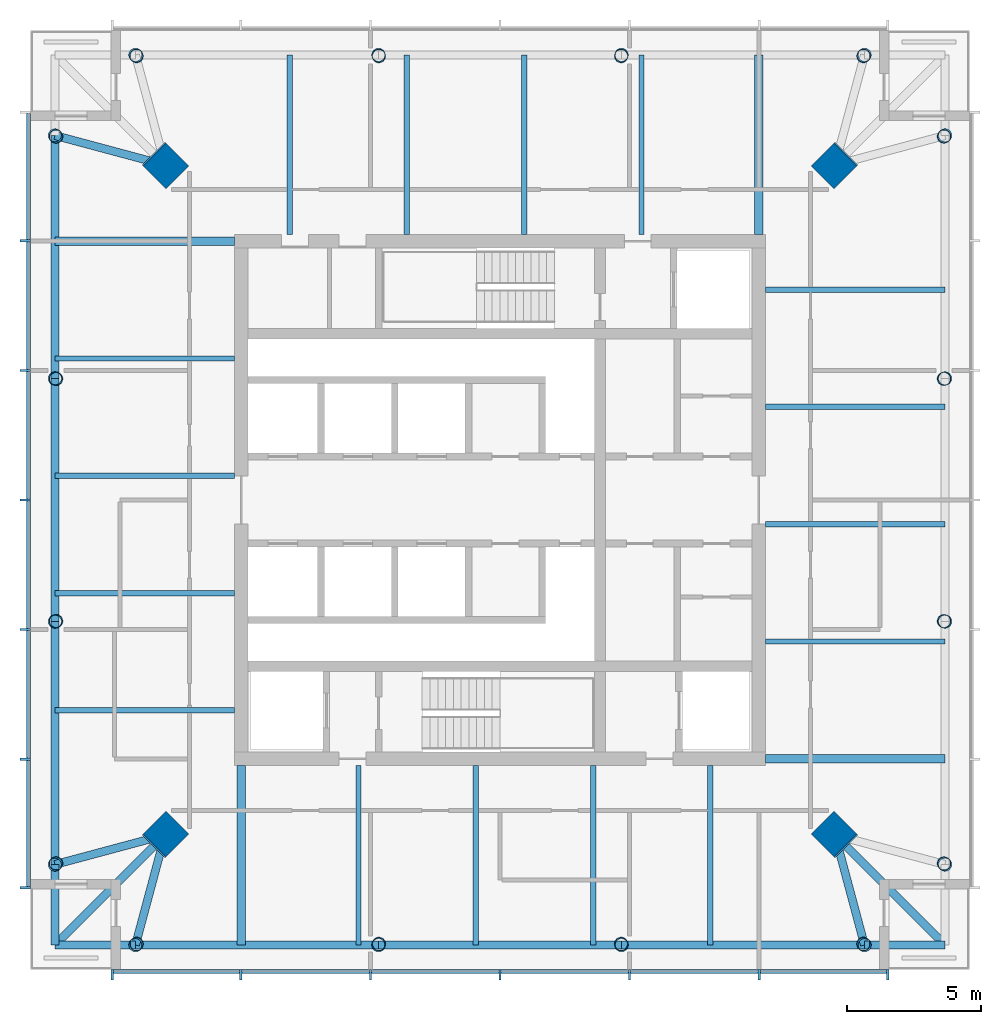
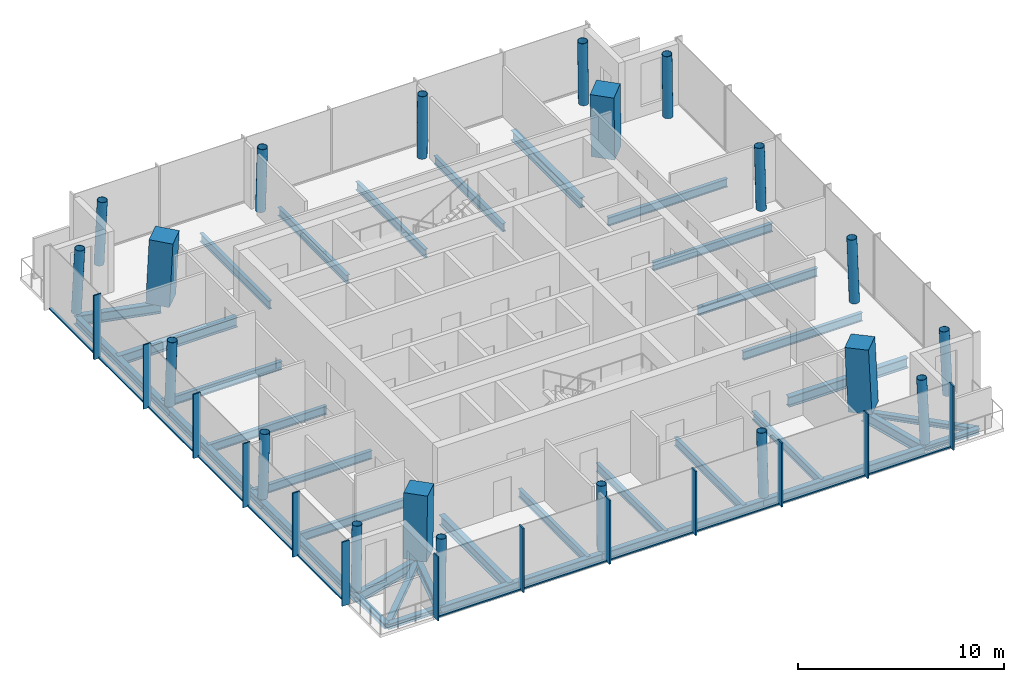
# One storey, part 1 of 7: 35 beams, 25 members, 20 columns, 2 elements without a shape of their own.
"""IFC4 building model written with IfcOpenShell, lengths in metres."""

from ifc_helpers import new_model, si_unit, direction, frame, origin, origin_2d, place, context, subcontext, project, spatial, rectangle, hollow_circle, i_section, extrude, material, material_profile, profile_set, type_object, element, aggregate, save


model = new_model("IFC4")

# Units and contexts
model_context = context("Model", 3, precision=1e-05, world=origin(), true_north=direction((0.0, 1.0)))
body_context = subcontext(model_context, "Body", "Model", "MODEL_VIEW")
ifc_project = project(units=[si_unit("LENGTHUNIT", "METRE"), si_unit("AREAUNIT", "SQUARE_METRE"), si_unit("VOLUMEUNIT", "CUBIC_METRE"), si_unit("PLANEANGLEUNIT", "RADIAN"), si_unit("MASSUNIT", "GRAM", prefix="KILO")], contexts=[model_context])

# Site, building, storey
site_placement = place(None, origin())
site = spatial("IfcSite", under=ifc_project, at=site_placement, CompositionType="ELEMENT")
building_placement = place(site_placement, origin())
building = spatial("IfcBuilding", under=site, at=building_placement, Name="Ostroluk Exchange", CompositionType="ELEMENT")
storey_placement = place(building_placement, frame((0.0, 0.0, 252.800048828125)))
storey = spatial("IfcBuildingStorey", under=building, at=storey_placement, Name="L65", CompositionType="ELEMENT", Elevation=252.800048828125)

# Columns
ifc_material_1 = material(Name="Concrete C50/60", Category="concrete")
ifc_material_profile_1 = material_profile(ifc_material_1, rectangle(XDim=1.199951171875, YDim=1.199951171875, at=origin_2d()), Name="RC 1200x1200")
ifc_profile_set_1 = profile_set([ifc_material_profile_1], Name="Concrete C50/60")
column_type_1 = type_object("IfcColumnType", Name="Mega column RC 1200x1200", PredefinedType="COLUMN", material=ifc_profile_set_1)
for number, where, z_axis, x_axis, name in (
    (1, (57.492919921875, 58.492919921875, 0.0), (-0.031962158256, -0.031962158256, 0.998977898093), (0.707106781187, -0.707106781187, 0.0), "T1 mega column NE"),
    (2, (32.507080078125, 58.492919921875, 0.0), (0.031962158256, -0.031962158256, 0.998977898093), (0.707106781187, 0.707106781187, 0.0), "T1 mega column NW"),
    (3, (32.507080078125, 33.507080078125, 0.0), (0.031962158256, 0.031962158256, 0.998977898093), (-0.707106781187, 0.707106781187, 0.0), "T1 mega column SW"),
    (4, (57.492919921875, 33.507080078125, 0.0), (-0.031962158256, 0.031962158256, 0.998977898093), (-0.707106781187, -0.707106781187, 0.0), "T1 mega column SE"),
):
    element("IfcColumn", number, at=place(storey_placement, frame(where, z_axis=z_axis, x_axis=x_axis)), inside=storey, type_object=column_type_1, Name=name, PredefinedType="COLUMN", context=body_context, shape_type="SweptSolid", body=[
        extrude(rectangle(XDim=1.199951171875, YDim=1.199951171875, at=origin_2d()), origin(), (0.0, 0.0, 1.0), 3.803955078125),
    ])
ifc_material_2 = material(Name="Steel S460", Category="steel")
ifc_material_profile_2 = material_profile(ifc_material_2, hollow_circle(Radius=0.25390625, WallThickness=0.02001953125, at=origin_2d()), Name="CHS 508x20")
ifc_profile_set_2 = profile_set([ifc_material_profile_2], Name="Steel S460")
column_type_2 = type_object("IfcColumnType", Name="Perimeter column CHS 508x20", PredefinedType="COLUMN", material=ifc_profile_set_2)
for number, where, z_axis, x_axis, name in (
    (5, (61.5927734375, 32.4072265625, 0.0), (-0.031898107953, 0.031898107953, 0.998981992539), (-0.707106781187, -0.707106781187, 0.0), "T1 east face column E0"),
    (6, (61.5927734375, 59.5927734375, 0.0), (-0.031898107953, -0.031898107953, 0.998981992539), (0.707106781187, -0.707106781187, 0.0), "T1 east face column E1"),
):
    element("IfcColumn", number, at=place(storey_placement, frame(where, z_axis=z_axis, x_axis=x_axis)), inside=storey, type_object=column_type_2, Name=name, PredefinedType="COLUMN", context=body_context, shape_type="SweptSolid", body=[
        extrude(hollow_circle(Radius=0.25390625, WallThickness=0.02001953125, at=origin_2d()), origin(), (0.0, 0.0, 1.0), 3.803955078125),
    ])
for number, where, z_axis, x_axis, name in (
    (7, (61.5927734375, 41.468994140625, 0.0), (-0.031912535354, 0.010658915229, 0.999433828532), (-0.316800238982, -0.948492281772, 0.0), "T1 east face column I1"),
    (8, (61.5927734375, 50.531005859375, 0.0), (-0.031912535354, -0.010658915229, 0.999433828532), (0.316800238982, -0.948492281772, 0.0), "T1 east face column I2"),
):
    element("IfcColumn", number, at=place(storey_placement, frame(where, z_axis=z_axis, x_axis=x_axis)), inside=storey, type_object=column_type_2, Name=name, PredefinedType="COLUMN", context=body_context, shape_type="SweptSolid", body=[
        extrude(hollow_circle(Radius=0.25390625, WallThickness=0.02001953125, at=origin_2d()), origin(), (0.0, 0.0, 1.0), 3.80224609375),
    ])
for number, where, z_axis, x_axis, name in (
    (9, (58.5927734375, 62.5927734375, 0.0), (-0.031898107953, -0.031898107953, 0.998981992539), (0.707106781187, -0.707106781187, 0.0), "T1 north face column E0"),
    (10, (31.4072265625, 62.5927734375, 0.0), (0.031898107953, -0.031898107953, 0.998981992539), (0.707106781187, 0.707106781187, 0.0), "T1 north face column E1"),
):
    element("IfcColumn", number, at=place(storey_placement, frame(where, z_axis=z_axis, x_axis=x_axis)), inside=storey, type_object=column_type_2, Name=name, PredefinedType="COLUMN", context=body_context, shape_type="SweptSolid", body=[
        extrude(hollow_circle(Radius=0.25390625, WallThickness=0.02001953125, at=origin_2d()), origin(), (0.0, 0.0, 1.0), 3.803955078125),
    ])
for number, where, z_axis, x_axis, name in (
    (11, (49.531005859375, 62.5927734375, 0.0), (-0.010658915229, -0.031912535354, 0.999433828532), (0.948492281772, -0.316800238982, 0.0), "T1 north face column I1"),
    (12, (40.468994140625, 62.5927734375, 0.0), (0.010658915229, -0.031912535354, 0.999433828532), (0.948492281772, 0.316800238982, 0.0), "T1 north face column I2"),
):
    element("IfcColumn", number, at=place(storey_placement, frame(where, z_axis=z_axis, x_axis=x_axis)), inside=storey, type_object=column_type_2, Name=name, PredefinedType="COLUMN", context=body_context, shape_type="SweptSolid", body=[
        extrude(hollow_circle(Radius=0.25390625, WallThickness=0.02001953125, at=origin_2d()), origin(), (0.0, 0.0, 1.0), 3.80224609375),
    ])
for number, where, z_axis, x_axis, name in (
    (13, (28.4072265625, 59.5927734375, 0.0), (0.031898107953, -0.031898107953, 0.998981992539), (0.707106781187, 0.707106781187, 0.0), "T1 west face column E0"),
    (14, (28.4072265625, 32.4072265625, 0.0), (0.031898107953, 0.031898107953, 0.998981992539), (-0.707106781187, 0.707106781187, 0.0), "T1 west face column E1"),
):
    element("IfcColumn", number, at=place(storey_placement, frame(where, z_axis=z_axis, x_axis=x_axis)), inside=storey, type_object=column_type_2, Name=name, PredefinedType="COLUMN", context=body_context, shape_type="SweptSolid", body=[
        extrude(hollow_circle(Radius=0.25390625, WallThickness=0.02001953125, at=origin_2d()), origin(), (0.0, 0.0, 1.0), 3.803955078125),
    ])
for number, where, z_axis, x_axis, name in (
    (15, (28.4072265625, 50.531005859375, 0.0), (0.031912535354, -0.010658915229, 0.999433828532), (0.316800238982, 0.948492281772, 0.0), "T1 west face column I1"),
    (16, (28.4072265625, 41.468994140625, 0.0), (0.031912535354, 0.010658915229, 0.999433828532), (-0.316800238982, 0.948492281772, 0.0), "T1 west face column I2"),
):
    element("IfcColumn", number, at=place(storey_placement, frame(where, z_axis=z_axis, x_axis=x_axis)), inside=storey, type_object=column_type_2, Name=name, PredefinedType="COLUMN", context=body_context, shape_type="SweptSolid", body=[
        extrude(hollow_circle(Radius=0.25390625, WallThickness=0.02001953125, at=origin_2d()), origin(), (0.0, 0.0, 1.0), 3.80224609375),
    ])
for number, where, z_axis, x_axis, name in (
    (17, (31.4072265625, 29.4072265625, 0.0), (0.031898107953, 0.031898107953, 0.998981992539), (-0.707106781187, 0.707106781187, 0.0), "T1 south face column E0"),
    (18, (58.5927734375, 29.4072265625, 0.0), (-0.031898107953, 0.031898107953, 0.998981992539), (-0.707106781187, -0.707106781187, 0.0), "T1 south face column E1"),
):
    element("IfcColumn", number, at=place(storey_placement, frame(where, z_axis=z_axis, x_axis=x_axis)), inside=storey, type_object=column_type_2, Name=name, PredefinedType="COLUMN", context=body_context, shape_type="SweptSolid", body=[
        extrude(hollow_circle(Radius=0.25390625, WallThickness=0.02001953125, at=origin_2d()), origin(), (0.0, 0.0, 1.0), 3.803955078125),
    ])
for number, where, z_axis, x_axis, name in (
    (19, (40.468994140625, 29.4072265625, 0.0), (0.010658915229, 0.031912535354, 0.999433828532), (-0.948492281772, 0.316800238982, 0.0), "T1 south face column I1"),
    (20, (49.531005859375, 29.4072265625, 0.0), (-0.010658915229, 0.031912535354, 0.999433828532), (-0.948492281772, -0.316800238982, 0.0), "T1 south face column I2"),
):
    element("IfcColumn", number, at=place(storey_placement, frame(where, z_axis=z_axis, x_axis=x_axis)), inside=storey, type_object=column_type_2, Name=name, PredefinedType="COLUMN", context=body_context, shape_type="SweptSolid", body=[
        extrude(hollow_circle(Radius=0.25390625, WallThickness=0.02001953125, at=origin_2d()), origin(), (0.0, 0.0, 1.0), 3.80224609375),
    ])

# Beams
ifc_material_3 = material(Name="Steel S355", Category="steel")
ifc_material_profile_3 = material_profile(ifc_material_3, i_section(OverallWidth=0.300048828125, OverallDepth=0.300048828125, WebThickness=0.010986328125, FlangeThickness=0.01904296875, FilletRadius=0.027099609375, at=origin_2d()), Name="HEB 300")
ifc_profile_set_3 = profile_set([ifc_material_profile_3], Name="Steel S355")
beam_type_1 = type_object("IfcBeamType", Name="Balcony beam HEB 300", PredefinedType="BEAM", material=ifc_profile_set_3)
for number, where, z_axis, x_axis, name in (
    (21, (28.4072265625, 32.4072265625, -0.330078125), (0.0, -1.0, 0.0), (1.0, 0.0, 0.0), "T1 west balcony beam a"),
    (22, (31.4072265625, 29.4072265625, -0.330078125), (-1.0, 0.0, 0.0), (0.0, -1.0, 0.0), "T1 west balcony beam b"),
):
    element("IfcBeam", number, at=place(storey_placement, frame(where, z_axis=z_axis, x_axis=x_axis)), inside=storey, type_object=beam_type_1, Name=name, PredefinedType="BEAM", context=body_context, shape_type="SweptSolid", body=[
        extrude(i_section(OverallWidth=0.300048828125, OverallDepth=0.300048828125, WebThickness=0.010986328125, FlangeThickness=0.01904296875, FilletRadius=0.027099609375, at=origin_2d()), origin(), (0.0, 0.0, 1.0), 3.0),
    ])
beam_1_placement = place(storey_placement, frame((32.507080078125, 33.507080078125, -0.330078125), z_axis=(-0.707106781187, -0.707106781187, 0.0), x_axis=(0.707106781187, -0.707106781187, 0.0)))
element("IfcBeam", 23, at=beam_1_placement, inside=storey, type_object=beam_type_1, Name="T1 west balcony beam c", PredefinedType="BEAM", context=body_context, shape_type="SweptSolid", body=[
    extrude(i_section(OverallWidth=0.300048828125, OverallDepth=0.300048828125, WebThickness=0.010986328125, FlangeThickness=0.01904296875, FilletRadius=0.027099609375, at=origin_2d()), origin(), (0.0, 0.0, 1.0), 5.798095703125),
])
beam_2_placement = place(storey_placement, frame((58.5927734375, 29.4072265625, -0.330078125), z_axis=(1.0, 0.0, 0.0), x_axis=(0.0, 1.0, 0.0)))
element("IfcBeam", 24, at=beam_2_placement, inside=storey, type_object=beam_type_1, Name="T1 south balcony beam a", PredefinedType="BEAM", context=body_context, shape_type="SweptSolid", body=[
    extrude(i_section(OverallWidth=0.300048828125, OverallDepth=0.300048828125, WebThickness=0.010986328125, FlangeThickness=0.01904296875, FilletRadius=0.027099609375, at=origin_2d()), origin(), (0.0, 0.0, 1.0), 3.0),
])
beam_3_placement = place(storey_placement, frame((57.492919921875, 33.507080078125, -0.330078125), z_axis=(0.707106781187, -0.707106781187, 0.0), x_axis=(0.707106781187, 0.707106781187, 0.0)))
element("IfcBeam", 25, at=beam_3_placement, inside=storey, type_object=beam_type_1, Name="T1 south balcony beam c", PredefinedType="BEAM", context=body_context, shape_type="SweptSolid", body=[
    extrude(i_section(OverallWidth=0.300048828125, OverallDepth=0.300048828125, WebThickness=0.010986328125, FlangeThickness=0.01904296875, FilletRadius=0.027099609375, at=origin_2d()), origin(), (0.0, 0.0, 1.0), 5.798095703125),
])
ifc_material_4 = material(Name="Steel S355", Category="steel")
ifc_material_profile_4 = material_profile(ifc_material_4, i_section(OverallWidth=0.300048828125, OverallDepth=0.60009765625, WebThickness=0.015380859375, FlangeThickness=0.030029296875, FilletRadius=0.027099609375, at=origin_2d()), Name="HEB 600")
ifc_profile_set_4 = profile_set([ifc_material_profile_4], Name="Steel S355")
beam_type_2 = type_object("IfcBeamType", Name="Corner edge beam HEB 600", PredefinedType="SPANDREL", material=ifc_profile_set_4)
for number, where, z_axis, x_axis, name in (
    (26, (32.507080078125, 58.492919921875, -0.47998046875), (-0.965849156574, 0.259105011038, 0.0), (-0.259105011038, -0.965849156574, 0.0), "T1 north corner edge beam b"),
    (27, (32.507080078125, 33.507080078125, -0.47998046875), (-0.965849156574, -0.259105011038, 0.0), (0.259105011038, -0.965849156574, 0.0), "T1 west corner edge beam a"),
    (28, (32.507080078125, 33.507080078125, -0.47998046875), (-0.259105011038, -0.965849156574, 0.0), (0.965849156574, -0.259105011038, 0.0), "T1 west corner edge beam b"),
    (29, (57.492919921875, 33.507080078125, -0.47998046875), (0.259105011038, -0.965849156574, 0.0), (0.965849156574, 0.259105011038, 0.0), "T1 south corner edge beam a"),
):
    element("IfcBeam", number, at=place(storey_placement, frame(where, z_axis=z_axis, x_axis=x_axis)), inside=storey, type_object=beam_type_2, Name=name, PredefinedType="SPANDREL", context=body_context, shape_type="SweptSolid", body=[
        extrude(i_section(OverallWidth=0.300048828125, OverallDepth=0.60009765625, WebThickness=0.015380859375, FlangeThickness=0.030029296875, FilletRadius=0.027099609375, at=origin_2d()), origin(), (0.0, 0.0, 1.0), 4.244873046875),
    ])
ifc_material_5 = material(Name="Steel S355", Category="steel")
ifc_material_profile_5 = material_profile(ifc_material_5, i_section(OverallWidth=0.199951171875, OverallDepth=0.5, WebThickness=0.01025390625, FlangeThickness=0.01611328125, FilletRadius=0.02099609375, at=origin_2d()), Name="IPE 500")
ifc_profile_set_5 = profile_set([ifc_material_profile_5], Name="Steel S355")
beam_type_3 = type_object("IfcBeamType", Name="Floor beam IPE 500", PredefinedType="BEAM", material=ifc_profile_set_5)
for number, where, z_axis, x_axis, name in (
    (30, (54.89990234375, 40.723876953125, -0.429931640625), (1.0, 0.0, 0.0), (0.0, 1.0, 0.0), "T1 east floor beam 1"),
    (31, (54.89990234375, 45.09765625, -0.429931640625), (1.0, 0.0, 0.0), (0.0, 1.0, 0.0), "T1 east floor beam 2"),
    (32, (54.89990234375, 49.471435546875, -0.429931640625), (1.0, 0.0, 0.0), (0.0, 1.0, 0.0), "T1 east floor beam 3"),
    (33, (54.89990234375, 53.84521484375, -0.429931640625), (1.0, 0.0, 0.0), (0.0, 1.0, 0.0), "T1 east floor beam 4"),
    (34, (50.276123046875, 55.89990234375, -0.429931640625), (0.0, 1.0, 0.0), (-1.0, 0.0, 0.0), "T1 north floor beam 1"),
    (35, (45.90234375, 55.89990234375, -0.429931640625), (0.0, 1.0, 0.0), (-1.0, 0.0, 0.0), "T1 north floor beam 2"),
    (36, (41.528564453125, 55.89990234375, -0.429931640625), (0.0, 1.0, 0.0), (-1.0, 0.0, 0.0), "T1 north floor beam 3"),
    (37, (37.15478515625, 55.89990234375, -0.429931640625), (0.0, 1.0, 0.0), (-1.0, 0.0, 0.0), "T1 north floor beam 4"),
    (38, (35.10009765625, 51.276123046875, -0.429931640625), (-1.0, 0.0, 0.0), (0.0, -1.0, 0.0), "T1 west floor beam 1"),
    (39, (35.10009765625, 46.90234375, -0.429931640625), (-1.0, 0.0, 0.0), (0.0, -1.0, 0.0), "T1 west floor beam 2"),
    (40, (35.10009765625, 42.528564453125, -0.429931640625), (-1.0, 0.0, 0.0), (0.0, -1.0, 0.0), "T1 west floor beam 3"),
    (41, (35.10009765625, 38.15478515625, -0.429931640625), (-1.0, 0.0, 0.0), (0.0, -1.0, 0.0), "T1 west floor beam 4"),
    (42, (39.723876953125, 36.10009765625, -0.429931640625), (0.0, -1.0, 0.0), (1.0, 0.0, 0.0), "T1 south floor beam 1"),
    (43, (44.09765625, 36.10009765625, -0.429931640625), (0.0, -1.0, 0.0), (1.0, 0.0, 0.0), "T1 south floor beam 2"),
    (44, (48.471435546875, 36.10009765625, -0.429931640625), (0.0, -1.0, 0.0), (1.0, 0.0, 0.0), "T1 south floor beam 3"),
    (45, (52.84521484375, 36.10009765625, -0.429931640625), (0.0, -1.0, 0.0), (1.0, 0.0, 0.0), "T1 south floor beam 4"),
):
    element("IfcBeam", number, at=place(storey_placement, frame(where, z_axis=z_axis, x_axis=x_axis)), inside=storey, type_object=beam_type_3, Name=name, PredefinedType="BEAM", context=body_context, shape_type="SweptSolid", body=[
        extrude(i_section(OverallWidth=0.199951171875, OverallDepth=0.5, WebThickness=0.01025390625, FlangeThickness=0.01611328125, FilletRadius=0.02099609375, at=origin_2d()), origin(), (0.0, 0.0, 1.0), 6.69287109375),
    ])
ifc_material_6 = material(Name="Steel S355", Category="steel")
ifc_material_profile_6 = material_profile(ifc_material_6, i_section(OverallWidth=0.300048828125, OverallDepth=0.60009765625, WebThickness=0.015380859375, FlangeThickness=0.030029296875, FilletRadius=0.027099609375, at=origin_2d()), Name="HEB 600")
ifc_profile_set_6 = profile_set([ifc_material_profile_6], Name="Steel S355")
beam_type_4 = type_object("IfcBeamType", Name="Girder HEB 600", PredefinedType="BEAM", material=ifc_profile_set_6)
for number, where, z_axis, x_axis, name in (
    (46, (54.64990234375, 55.89990234375, -0.47998046875), (0.0, 1.0, 0.0), (-1.0, 0.0, 0.0), "T1 east girder"),
    (47, (35.10009765625, 55.64990234375, -0.47998046875), (-1.0, 0.0, 0.0), (0.0, -1.0, 0.0), "T1 north girder"),
    (48, (35.35009765625, 36.10009765625, -0.47998046875), (0.0, -1.0, 0.0), (1.0, 0.0, 0.0), "T1 west girder"),
    (49, (54.89990234375, 36.35009765625, -0.47998046875), (1.0, 0.0, 0.0), (0.0, 1.0, 0.0), "T1 south girder"),
):
    element("IfcBeam", number, at=place(storey_placement, frame(where, z_axis=z_axis, x_axis=x_axis)), inside=storey, type_object=beam_type_4, Name=name, PredefinedType="BEAM", context=body_context, shape_type="SweptSolid", body=[
        extrude(i_section(OverallWidth=0.300048828125, OverallDepth=0.60009765625, WebThickness=0.015380859375, FlangeThickness=0.030029296875, FilletRadius=0.027099609375, at=origin_2d()), origin(), (0.0, 0.0, 1.0), 6.69287109375),
    ])
ifc_material_7 = material(Name="Steel S355", Category="steel")
ifc_material_profile_7 = material_profile(ifc_material_7, i_section(OverallWidth=0.300048828125, OverallDepth=0.5, WebThickness=0.014404296875, FlangeThickness=0.028076171875, FilletRadius=0.027099609375, at=origin_2d()), Name="HEB 500")
ifc_profile_set_7 = profile_set([ifc_material_profile_7], Name="Steel S355")
beam_type_5 = type_object("IfcBeamType", Name="Moment-connected edge beam HEB 500", PredefinedType="SPANDREL", material=ifc_profile_set_7)
beam_4_placement = place(storey_placement, frame((28.4072265625, 59.5927734375, -0.429931640625), z_axis=(0.0, -1.0, 0.0), x_axis=(1.0, 0.0, 0.0)))
element("IfcBeam", 50, at=beam_4_placement, inside=storey, type_object=beam_type_5, Name="T1 west edge beam 1", PredefinedType="SPANDREL", context=body_context, shape_type="SweptSolid", body=[
    extrude(i_section(OverallWidth=0.300048828125, OverallDepth=0.5, WebThickness=0.014404296875, FlangeThickness=0.028076171875, FilletRadius=0.027099609375, at=origin_2d()), origin(), (0.0, 0.0, 1.0), 9.061767578125),
])
beam_5_placement = place(storey_placement, frame((28.4072265625, 50.531005859375, -0.429931640625), z_axis=(0.0, -1.0, 0.0), x_axis=(1.0, 0.0, 0.0)))
element("IfcBeam", 51, at=beam_5_placement, inside=storey, type_object=beam_type_5, Name="T1 west edge beam 2", PredefinedType="SPANDREL", context=body_context, shape_type="SweptSolid", body=[
    extrude(i_section(OverallWidth=0.300048828125, OverallDepth=0.5, WebThickness=0.014404296875, FlangeThickness=0.028076171875, FilletRadius=0.027099609375, at=origin_2d()), origin(), (0.0, 0.0, 1.0), 9.06201171875),
])
for number, where, z_axis, x_axis, name in (
    (52, (28.4072265625, 41.468994140625, -0.429931640625), (0.0, -1.0, 0.0), (1.0, 0.0, 0.0), "T1 west edge beam 3"),
    (53, (31.4072265625, 29.4072265625, -0.429931640625), (1.0, 0.0, 0.0), (0.0, 1.0, 0.0), "T1 south edge beam 1"),
):
    element("IfcBeam", number, at=place(storey_placement, frame(where, z_axis=z_axis, x_axis=x_axis)), inside=storey, type_object=beam_type_5, Name=name, PredefinedType="SPANDREL", context=body_context, shape_type="SweptSolid", body=[
        extrude(i_section(OverallWidth=0.300048828125, OverallDepth=0.5, WebThickness=0.014404296875, FlangeThickness=0.028076171875, FilletRadius=0.027099609375, at=origin_2d()), origin(), (0.0, 0.0, 1.0), 9.061767578125),
    ])
beam_6_placement = place(storey_placement, frame((40.468994140625, 29.4072265625, -0.429931640625), z_axis=(1.0, 0.0, 0.0), x_axis=(0.0, 1.0, 0.0)))
element("IfcBeam", 54, at=beam_6_placement, inside=storey, type_object=beam_type_5, Name="T1 south edge beam 2", PredefinedType="SPANDREL", context=body_context, shape_type="SweptSolid", body=[
    extrude(i_section(OverallWidth=0.300048828125, OverallDepth=0.5, WebThickness=0.014404296875, FlangeThickness=0.028076171875, FilletRadius=0.027099609375, at=origin_2d()), origin(), (0.0, 0.0, 1.0), 9.06201171875),
])
beam_7_placement = place(storey_placement, frame((49.531005859375, 29.4072265625, -0.429931640625), z_axis=(1.0, 0.0, 0.0), x_axis=(0.0, 1.0, 0.0)))
element("IfcBeam", 55, at=beam_7_placement, inside=storey, type_object=beam_type_5, Name="T1 south edge beam 3", PredefinedType="SPANDREL", context=body_context, shape_type="SweptSolid", body=[
    extrude(i_section(OverallWidth=0.300048828125, OverallDepth=0.5, WebThickness=0.014404296875, FlangeThickness=0.028076171875, FilletRadius=0.027099609375, at=origin_2d()), origin(), (0.0, 0.0, 1.0), 9.061767578125),
])

# Curtain wall, members
ifc_material_8 = material(Name="Laminated clear glass", Category="glass")
curtain_wall_type = type_object("IfcCurtainWallType", Name="Office tower facade", PredefinedType="USERDEFINED", material=ifc_material_8)
curtain_wall_1_placement = place(storey_placement, origin())
curtain_wall_1 = element("IfcCurtainWall", 56, at=curtain_wall_1_placement, inside=storey, type_object=curtain_wall_type, Name="Office tower south facade L65", ObjectType="UNITISED CURTAIN WALL", PredefinedType="USERDEFINED")
ifc_material_9 = material(Name="Aluminium mullion", Category="aluminium")
ifc_material_profile_8 = material_profile(ifc_material_9, rectangle(XDim=0.14990234375, YDim=0.080078125, at=origin_2d()), Name="Sill transom 80 x 150")
ifc_profile_set_8 = profile_set([ifc_material_profile_8], Name="Aluminium mullion")
member_type_1 = type_object("IfcMemberType", Name="Sill transom 80 x 150", PredefinedType="USERDEFINED", material=ifc_profile_set_8)
member_1_placement = place(storey_placement, frame((30.580078125, 28.425048828125, 0.0400390625), z_axis=(1.0, 0.0, 0.0), x_axis=(0.0, 1.0, 0.0)))
member_1 = element("IfcMember", 57, at=member_1_placement, type_object=member_type_1, Name="CW-O1 transom 1.1", ObjectType="TRANSOM", PredefinedType="USERDEFINED", context=body_context, shape_type="SweptSolid", body=[
    extrude(rectangle(XDim=0.14990234375, YDim=0.080078125, at=origin_2d()), origin(), (0.0, 0.0, 1.0), 4.713134765625),
])
member_2_placement = place(storey_placement, frame((35.373291015625, 28.425048828125, 0.0400390625), z_axis=(1.0, 0.0, 0.0), x_axis=(0.0, 1.0, 0.0)))
member_2 = element("IfcMember", 58, at=member_2_placement, type_object=member_type_1, Name="CW-O1 transom 2.1", ObjectType="TRANSOM", PredefinedType="USERDEFINED", context=body_context, shape_type="SweptSolid", body=[
    extrude(rectangle(XDim=0.14990234375, YDim=0.080078125, at=origin_2d()), origin(), (0.0, 0.0, 1.0), 4.75341796875),
])
member_3_placement = place(storey_placement, frame((40.206787109375, 28.425048828125, 0.0400390625), z_axis=(1.0, 0.0, 0.0), x_axis=(0.0, 1.0, 0.0)))
member_3 = element("IfcMember", 59, at=member_3_placement, type_object=member_type_1, Name="CW-O1 transom 3.1", ObjectType="TRANSOM", PredefinedType="USERDEFINED", context=body_context, shape_type="SweptSolid", body=[
    extrude(rectangle(XDim=0.14990234375, YDim=0.080078125, at=origin_2d()), origin(), (0.0, 0.0, 1.0), 4.753173828125),
])
member_4_placement = place(storey_placement, frame((45.0400390625, 28.425048828125, 0.0400390625), z_axis=(1.0, 0.0, 0.0), x_axis=(0.0, 1.0, 0.0)))
member_4 = element("IfcMember", 60, at=member_4_placement, type_object=member_type_1, Name="CW-O1 transom 4.1", ObjectType="TRANSOM", PredefinedType="USERDEFINED", context=body_context, shape_type="SweptSolid", body=[
    extrude(rectangle(XDim=0.14990234375, YDim=0.080078125, at=origin_2d()), origin(), (0.0, 0.0, 1.0), 4.753173828125),
])
member_5_placement = place(storey_placement, frame((49.873291015625, 28.425048828125, 0.0400390625), z_axis=(1.0, 0.0, 0.0), x_axis=(0.0, 1.0, 0.0)))
member_5 = element("IfcMember", 61, at=member_5_placement, type_object=member_type_1, Name="CW-O1 transom 5.1", ObjectType="TRANSOM", PredefinedType="USERDEFINED", context=body_context, shape_type="SweptSolid", body=[
    extrude(rectangle(XDim=0.14990234375, YDim=0.080078125, at=origin_2d()), origin(), (0.0, 0.0, 1.0), 4.75341796875),
])
member_6_placement = place(storey_placement, frame((54.706787109375, 28.425048828125, 0.0400390625), z_axis=(1.0, 0.0, 0.0), x_axis=(0.0, 1.0, 0.0)))
member_6 = element("IfcMember", 62, at=member_6_placement, type_object=member_type_1, Name="CW-O1 transom 6.1", ObjectType="TRANSOM", PredefinedType="USERDEFINED", context=body_context, shape_type="SweptSolid", body=[
    extrude(rectangle(XDim=0.14990234375, YDim=0.080078125, at=origin_2d()), origin(), (0.0, 0.0, 1.0), 4.713134765625),
])

curtain_wall_2_placement = place(storey_placement, origin())
curtain_wall_2 = element("IfcCurtainWall", 63, at=curtain_wall_2_placement, inside=storey, type_object=curtain_wall_type, Name="Office tower west facade L65", ObjectType="UNITISED CURTAIN WALL", PredefinedType="USERDEFINED")
member_7_placement = place(storey_placement, frame((27.425048828125, 60.419921875, 0.0400390625), z_axis=(0.0, -1.0, 0.0), x_axis=(1.0, 0.0, 0.0)))
member_7 = element("IfcMember", 64, at=member_7_placement, type_object=member_type_1, Name="CW-O1 transom 1.1", ObjectType="TRANSOM", PredefinedType="USERDEFINED", context=body_context, shape_type="SweptSolid", body=[
    extrude(rectangle(XDim=0.14990234375, YDim=0.080078125, at=origin_2d()), origin(), (0.0, 0.0, 1.0), 4.713134765625),
])
member_8_placement = place(storey_placement, frame((27.425048828125, 55.626708984375, 0.0400390625), z_axis=(0.0, -1.0, 0.0), x_axis=(1.0, 0.0, 0.0)))
member_8 = element("IfcMember", 65, at=member_8_placement, type_object=member_type_1, Name="CW-O1 transom 2.1", ObjectType="TRANSOM", PredefinedType="USERDEFINED", context=body_context, shape_type="SweptSolid", body=[
    extrude(rectangle(XDim=0.14990234375, YDim=0.080078125, at=origin_2d()), origin(), (0.0, 0.0, 1.0), 4.75341796875),
])
member_9_placement = place(storey_placement, frame((27.425048828125, 50.793212890625, 0.0400390625), z_axis=(0.0, -1.0, 0.0), x_axis=(1.0, 0.0, 0.0)))
member_9 = element("IfcMember", 66, at=member_9_placement, type_object=member_type_1, Name="CW-O1 transom 3.1", ObjectType="TRANSOM", PredefinedType="USERDEFINED", context=body_context, shape_type="SweptSolid", body=[
    extrude(rectangle(XDim=0.14990234375, YDim=0.080078125, at=origin_2d()), origin(), (0.0, 0.0, 1.0), 4.753173828125),
])
member_10_placement = place(storey_placement, frame((27.425048828125, 45.9599609375, 0.0400390625), z_axis=(0.0, -1.0, 0.0), x_axis=(1.0, 0.0, 0.0)))
member_10 = element("IfcMember", 67, at=member_10_placement, type_object=member_type_1, Name="CW-O1 transom 4.1", ObjectType="TRANSOM", PredefinedType="USERDEFINED", context=body_context, shape_type="SweptSolid", body=[
    extrude(rectangle(XDim=0.14990234375, YDim=0.080078125, at=origin_2d()), origin(), (0.0, 0.0, 1.0), 4.753173828125),
])
member_11_placement = place(storey_placement, frame((27.425048828125, 41.126708984375, 0.0400390625), z_axis=(0.0, -1.0, 0.0), x_axis=(1.0, 0.0, 0.0)))
member_11 = element("IfcMember", 68, at=member_11_placement, type_object=member_type_1, Name="CW-O1 transom 5.1", ObjectType="TRANSOM", PredefinedType="USERDEFINED", context=body_context, shape_type="SweptSolid", body=[
    extrude(rectangle(XDim=0.14990234375, YDim=0.080078125, at=origin_2d()), origin(), (0.0, 0.0, 1.0), 4.75341796875),
])
member_12_placement = place(storey_placement, frame((27.425048828125, 36.293212890625, 0.0400390625), z_axis=(0.0, -1.0, 0.0), x_axis=(1.0, 0.0, 0.0)))
member_12 = element("IfcMember", 69, at=member_12_placement, type_object=member_type_1, Name="CW-O1 transom 6.1", ObjectType="TRANSOM", PredefinedType="USERDEFINED", context=body_context, shape_type="SweptSolid", body=[
    extrude(rectangle(XDim=0.14990234375, YDim=0.080078125, at=origin_2d()), origin(), (0.0, 0.0, 1.0), 4.713134765625),
])

# Member
ifc_material_10 = material(Name="Aluminium mullion with limestone facing", Category="masonry")
ifc_material_profile_9 = material_profile(ifc_material_10, rectangle(XDim=0.39990234375, YDim=0.080078125, at=origin_2d()), Name="Tracery mullion 80 x 400")
ifc_profile_set_9 = profile_set([ifc_material_profile_9], Name="Aluminium mullion with limestone facing")
member_type_2 = type_object("IfcMemberType", Name="Tracery mullion 80 x 400", PredefinedType="MULLION", material=ifc_profile_set_9)
member_13_placement = place(storey_placement, frame((30.5400390625, 28.300048828125, 0.0), z_axis=(0.0, 0.0, 1.0), x_axis=(0.0, 1.0, 0.0)))
member_13 = element("IfcMember", 70, at=member_13_placement, type_object=member_type_2, Name="CW-O1 mullion 1", PredefinedType="MULLION", context=body_context, shape_type="SweptSolid", body=[
    extrude(rectangle(XDim=0.39990234375, YDim=0.080078125, at=origin_2d()), origin(), (0.0, 0.0, 1.0), 3.800048828125),
])

member_14_placement = place(storey_placement, frame((35.333251953125, 28.300048828125, 0.0), z_axis=(0.0, 0.0, 1.0), x_axis=(0.0, 1.0, 0.0)))
member_14 = element("IfcMember", 71, at=member_14_placement, type_object=member_type_2, Name="CW-O1 mullion 2", PredefinedType="MULLION", context=body_context, shape_type="SweptSolid", body=[
    extrude(rectangle(XDim=0.39990234375, YDim=0.080078125, at=origin_2d()), origin(), (0.0, 0.0, 1.0), 3.800048828125),
])

member_15_placement = place(storey_placement, frame((40.166748046875, 28.300048828125, 0.0), z_axis=(0.0, 0.0, 1.0), x_axis=(0.0, 1.0, 0.0)))
member_15 = element("IfcMember", 72, at=member_15_placement, type_object=member_type_2, Name="CW-O1 mullion 3", PredefinedType="MULLION", context=body_context, shape_type="SweptSolid", body=[
    extrude(rectangle(XDim=0.39990234375, YDim=0.080078125, at=origin_2d()), origin(), (0.0, 0.0, 1.0), 3.800048828125),
])

member_16_placement = place(storey_placement, frame((45.0, 28.300048828125, 0.0), z_axis=(0.0, 0.0, 1.0), x_axis=(0.0, 1.0, 0.0)))
member_16 = element("IfcMember", 73, at=member_16_placement, type_object=member_type_2, Name="CW-O1 mullion 4", PredefinedType="MULLION", context=body_context, shape_type="SweptSolid", body=[
    extrude(rectangle(XDim=0.39990234375, YDim=0.080078125, at=origin_2d()), origin(), (0.0, 0.0, 1.0), 3.800048828125),
])

member_17_placement = place(storey_placement, frame((49.833251953125, 28.300048828125, 0.0), z_axis=(0.0, 0.0, 1.0), x_axis=(0.0, 1.0, 0.0)))
member_17 = element("IfcMember", 74, at=member_17_placement, type_object=member_type_2, Name="CW-O1 mullion 5", PredefinedType="MULLION", context=body_context, shape_type="SweptSolid", body=[
    extrude(rectangle(XDim=0.39990234375, YDim=0.080078125, at=origin_2d()), origin(), (0.0, 0.0, 1.0), 3.800048828125),
])

member_18_placement = place(storey_placement, frame((54.666748046875, 28.300048828125, 0.0), z_axis=(0.0, 0.0, 1.0), x_axis=(0.0, 1.0, 0.0)))
member_18 = element("IfcMember", 75, at=member_18_placement, type_object=member_type_2, Name="CW-O1 mullion 6", PredefinedType="MULLION", context=body_context, shape_type="SweptSolid", body=[
    extrude(rectangle(XDim=0.39990234375, YDim=0.080078125, at=origin_2d()), origin(), (0.0, 0.0, 1.0), 3.800048828125),
])

member_19_placement = place(storey_placement, frame((59.4599609375, 28.300048828125, 0.0), z_axis=(0.0, 0.0, 1.0), x_axis=(0.0, 1.0, 0.0)))
member_19 = element("IfcMember", 76, at=member_19_placement, type_object=member_type_2, Name="CW-O1 mullion 7", PredefinedType="MULLION", context=body_context, shape_type="SweptSolid", body=[
    extrude(rectangle(XDim=0.39990234375, YDim=0.080078125, at=origin_2d()), origin(), (0.0, 0.0, 1.0), 3.800048828125),
])

aggregate(curtain_wall_1, [member_13, member_14, member_15, member_16, member_17, member_18, member_19, member_1, member_2, member_3, member_4, member_5, member_6])

member_20_placement = place(storey_placement, frame((27.300048828125, 55.666748046875, 0.0), z_axis=(0.0, 0.0, 1.0), x_axis=(1.0, 0.0, 0.0)))
member_20 = element("IfcMember", 77, at=member_20_placement, type_object=member_type_2, Name="CW-O1 mullion 2", PredefinedType="MULLION", context=body_context, shape_type="SweptSolid", body=[
    extrude(rectangle(XDim=0.39990234375, YDim=0.080078125, at=origin_2d()), origin(), (0.0, 0.0, 1.0), 3.800048828125),
])

member_21_placement = place(storey_placement, frame((27.300048828125, 50.833251953125, 0.0), z_axis=(0.0, 0.0, 1.0), x_axis=(1.0, 0.0, 0.0)))
member_21 = element("IfcMember", 78, at=member_21_placement, type_object=member_type_2, Name="CW-O1 mullion 3", PredefinedType="MULLION", context=body_context, shape_type="SweptSolid", body=[
    extrude(rectangle(XDim=0.39990234375, YDim=0.080078125, at=origin_2d()), origin(), (0.0, 0.0, 1.0), 3.800048828125),
])

member_22_placement = place(storey_placement, frame((27.300048828125, 46.0, 0.0), z_axis=(0.0, 0.0, 1.0), x_axis=(1.0, 0.0, 0.0)))
member_22 = element("IfcMember", 79, at=member_22_placement, type_object=member_type_2, Name="CW-O1 mullion 4", PredefinedType="MULLION", context=body_context, shape_type="SweptSolid", body=[
    extrude(rectangle(XDim=0.39990234375, YDim=0.080078125, at=origin_2d()), origin(), (0.0, 0.0, 1.0), 3.800048828125),
])

member_23_placement = place(storey_placement, frame((27.300048828125, 41.166748046875, 0.0), z_axis=(0.0, 0.0, 1.0), x_axis=(1.0, 0.0, 0.0)))
member_23 = element("IfcMember", 80, at=member_23_placement, type_object=member_type_2, Name="CW-O1 mullion 5", PredefinedType="MULLION", context=body_context, shape_type="SweptSolid", body=[
    extrude(rectangle(XDim=0.39990234375, YDim=0.080078125, at=origin_2d()), origin(), (0.0, 0.0, 1.0), 3.800048828125),
])

member_24_placement = place(storey_placement, frame((27.300048828125, 36.333251953125, 0.0), z_axis=(0.0, 0.0, 1.0), x_axis=(1.0, 0.0, 0.0)))
member_24 = element("IfcMember", 81, at=member_24_placement, type_object=member_type_2, Name="CW-O1 mullion 6", PredefinedType="MULLION", context=body_context, shape_type="SweptSolid", body=[
    extrude(rectangle(XDim=0.39990234375, YDim=0.080078125, at=origin_2d()), origin(), (0.0, 0.0, 1.0), 3.800048828125),
])

member_25_placement = place(storey_placement, frame((27.300048828125, 31.5400390625, 0.0), z_axis=(0.0, 0.0, 1.0), x_axis=(1.0, 0.0, 0.0)))
member_25 = element("IfcMember", 82, at=member_25_placement, type_object=member_type_2, Name="CW-O1 mullion 7", PredefinedType="MULLION", context=body_context, shape_type="SweptSolid", body=[
    extrude(rectangle(XDim=0.39990234375, YDim=0.080078125, at=origin_2d()), origin(), (0.0, 0.0, 1.0), 3.800048828125),
])

aggregate(curtain_wall_2, [member_20, member_21, member_22, member_23, member_24, member_25, member_7, member_8, member_9, member_10, member_11, member_12])

save(model, "model.ifc")
